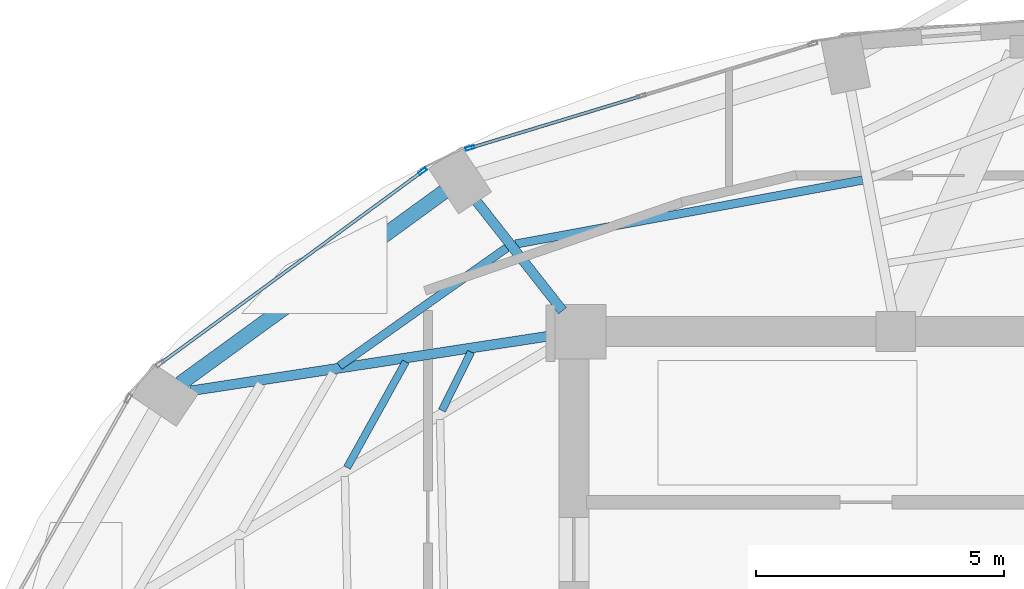
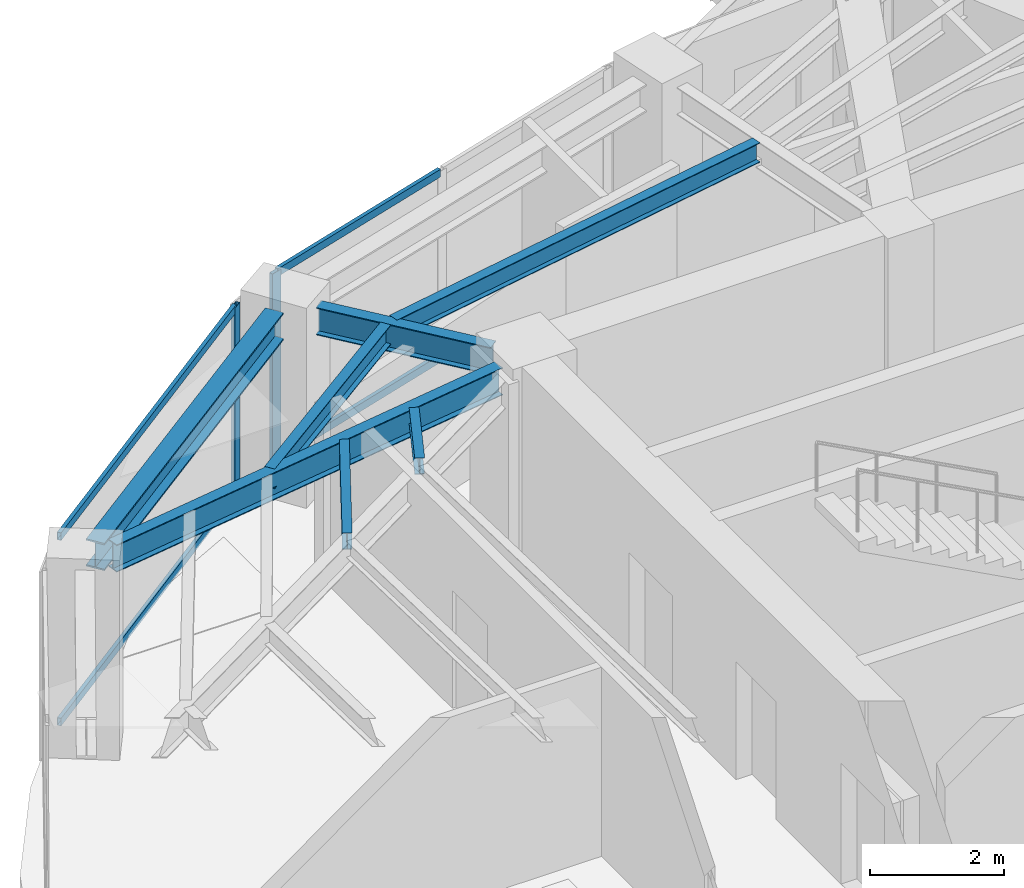
# One storey, part 8 of 21: 7 beams, 6 members, 2 elements without a shape of their own.
"""IFC4 building model written with IfcOpenShell, lengths in metres."""

from ifc_helpers import new_model, si_unit, direction, frame, origin, origin_2d, place, context, subcontext, project, spatial, hollow_rectangle, i_section, extrude, material, layer, layer_set, material_profile, profile_set, type_object, element, aggregate, save


model = new_model("IFC4")

# Units and contexts
model_context = context("Model", 3, precision=1e-05, world=origin(), true_north=direction((0.0, 1.0)))
body_context = subcontext(model_context, "Body", "Model", "MODEL_VIEW")
ifc_project = project(units=[si_unit("LENGTHUNIT", "METRE"), si_unit("AREAUNIT", "SQUARE_METRE"), si_unit("VOLUMEUNIT", "CUBIC_METRE"), si_unit("PLANEANGLEUNIT", "RADIAN"), si_unit("MASSUNIT", "GRAM", prefix="KILO")], contexts=[model_context])

# Site, building, storey
site_placement = place(None, origin())
site = spatial("IfcSite", under=ifc_project, at=site_placement, CompositionType="ELEMENT")
building_placement = place(site_placement, origin())
building = spatial("IfcBuilding", under=site, at=building_placement, Name="Lazwardi Medical Tower", CompositionType="ELEMENT")
storey_placement = place(building_placement, frame((0.0, 0.0, 220.367919921875)))
storey = spatial("IfcBuildingStorey", under=building, at=storey_placement, Name="L57", CompositionType="ELEMENT", Elevation=220.367919921875)

# Beams
ifc_material_1 = material(Name="Steel S355", Category="steel")
ifc_material_profile_1 = material_profile(ifc_material_1, i_section(OverallWidth=0.300048828125, OverallDepth=0.5, WebThickness=0.014404296875, FlangeThickness=0.028076171875, at=origin_2d()), Name="HEB 500")
ifc_profile_set_1 = profile_set([ifc_material_profile_1], Name="Steel S355")
beam_type_1 = type_object("IfcBeamType", Name="BM-RB-Z4", PredefinedType="BEAM", material=ifc_profile_set_1)
beam_1_placement = place(storey_placement, frame((23.68408203125, 38.4248046875, 3.197998046875), z_axis=(-0.808889916254, -0.587960120571, 0.0), x_axis=(0.587960120571, -0.808889916254, 0.0)))
element("IfcBeam", 1, at=beam_1_placement, inside=storey, type_object=beam_type_1, Name="Ring beam RB-05 B10 L57", PredefinedType="BEAM", context=body_context, shape_type="SweptSolid", body=[
    extrude(i_section(OverallWidth=0.300048828125, OverallDepth=0.5, WebThickness=0.014404296875, FlangeThickness=0.028076171875, at=origin_2d()), origin(), (0.0, 0.0, 1.0), 6.587158203125),
])
ifc_material_profile_2 = material_profile(ifc_material_1, i_section(OverallWidth=0.199951171875, OverallDepth=0.5, WebThickness=0.01025390625, FlangeThickness=0.01611328125, at=origin_2d()), Name="IPE 500")
ifc_profile_set_2 = profile_set([ifc_material_profile_2], Name="Steel S355")
beam_type_2 = type_object("IfcBeamType", Name="BM-RG-W3", PredefinedType="BEAM", material=ifc_profile_set_2)
beam_2_placement = place(storey_placement, frame((24.330322265625, 38.2333984375, 3.197998046875), z_axis=(0.617890508382, -0.786264153864, 0.0), x_axis=(0.786264153864, 0.617890508382, 0.0)))
element("IfcBeam", 2, at=beam_2_placement, inside=storey, type_object=beam_type_2, Name="Radial girder RG-04 R10 L57", PredefinedType="BEAM", context=body_context, shape_type="SweptSolid", body=[
    extrude(i_section(OverallWidth=0.199951171875, OverallDepth=0.5, WebThickness=0.01025390625, FlangeThickness=0.01611328125, at=origin_2d()), origin(), (0.0, 0.0, 1.0), 2.814453125),
])
beam_3_placement = place(storey_placement, frame((18.569091796875, 34.4033203125, 3.197998046875), z_axis=(0.988522137285, 0.151076087115, 0.0), x_axis=(-0.151076087115, 0.988522137285, 0.0)))
element("IfcBeam", 3, at=beam_3_placement, inside=storey, type_object=beam_type_2, Name="Radial girder RG-04 R11 L57", PredefinedType="BEAM", context=body_context, shape_type="SweptSolid", body=[
    extrude(i_section(OverallWidth=0.199951171875, OverallDepth=0.5, WebThickness=0.01025390625, FlangeThickness=0.01611328125, at=origin_2d()), origin(), (0.0, 0.0, 1.0), 7.38671875),
])
ifc_material_profile_3 = material_profile(ifc_material_1, i_section(OverallWidth=0.169921875, OverallDepth=0.360107421875, WebThickness=0.008056640625, FlangeThickness=0.0126953125, at=origin_2d()), Name="IPE 360")
ifc_profile_set_3 = profile_set([ifc_material_profile_3], Name="Steel S355")
beam_type_3 = type_object("IfcBeamType", Name="BM-SJ-02", PredefinedType="JOIST", material=ifc_profile_set_3)
beam_4_placement = place(storey_placement, frame((32.12890625, 38.65771484375, 3.26806640625), z_axis=(-0.983427965623, -0.181299300688, 0.0), x_axis=(0.181299300688, -0.983427965623, 0.0)))
element("IfcBeam", 4, at=beam_4_placement, inside=storey, type_object=beam_type_3, Name="Secondary joist SJ-02 R2 B09 L57", PredefinedType="JOIST", context=body_context, shape_type="SweptSolid", body=[
    extrude(i_section(OverallWidth=0.169921875, OverallDepth=0.360107421875, WebThickness=0.008056640625, FlangeThickness=0.0126953125, at=origin_2d()), origin(), (0.0, 0.0, 1.0), 7.127685546875),
])
beam_5_placement = place(storey_placement, frame((24.948486328125, 37.29345703125, 3.26806640625), z_axis=(-0.816711190406, -0.577046645832, 0.0), x_axis=(0.577046645832, -0.816711190406, 0.0)))
element("IfcBeam", 5, at=beam_5_placement, inside=storey, type_object=beam_type_3, Name="Secondary joist SJ-02 R2 B10 L57", PredefinedType="JOIST", context=body_context, shape_type="SweptSolid", body=[
    extrude(i_section(OverallWidth=0.169921875, OverallDepth=0.360107421875, WebThickness=0.008056640625, FlangeThickness=0.0126953125, at=origin_2d()), origin(), (0.0, 0.0, 1.0), 4.139892578125),
])
ifc_material_profile_4 = material_profile(ifc_material_1, i_section(OverallWidth=0.14990234375, OverallDepth=0.300048828125, WebThickness=0.007080078125, FlangeThickness=0.0107421875, at=origin_2d()), Name="IPE 300")
ifc_profile_set_4 = profile_set([ifc_material_profile_4], Name="Steel S355")
beam_type_4 = type_object("IfcBeamType", Name="BM-SJ-03", PredefinedType="JOIST", material=ifc_profile_set_4)
beam_6_placement = place(storey_placement, frame((22.904296875, 34.98974609375, 3.298095703125), z_axis=(-0.484751625998, -0.874651851363, 0.0), x_axis=(0.874651851363, -0.484751625998, 0.0)))
element("IfcBeam", 6, at=beam_6_placement, inside=storey, type_object=beam_type_4, Name="Secondary joist SJ-03 R3 B11 L57", PredefinedType="JOIST", context=body_context, shape_type="SweptSolid", body=[
    extrude(i_section(OverallWidth=0.14990234375, OverallDepth=0.300048828125, WebThickness=0.007080078125, FlangeThickness=0.0107421875, at=origin_2d()), origin(), (0.0, 0.0, 1.0), 2.442626953125),
])
beam_7_placement = place(storey_placement, frame((24.222412109375, 35.188720703125, 3.298095703125), z_axis=(-0.443587297772, -0.89623116954, 0.0), x_axis=(0.89623116954, -0.443587297772, 0.0)))
element("IfcBeam", 7, at=beam_7_placement, inside=storey, type_object=beam_type_4, Name="Secondary joist SJ-03 R4 B11 L57", PredefinedType="JOIST", context=body_context, shape_type="SweptSolid", body=[
    extrude(i_section(OverallWidth=0.14990234375, OverallDepth=0.300048828125, WebThickness=0.007080078125, FlangeThickness=0.0107421875, at=origin_2d()), origin(), (0.0, 0.0, 1.0), 1.32080078125),
])

# Curtain wall, member
ifc_material_2 = material(Name="Anodised bronze aluminium and solar control glazing", Category="aluminium")
ifc_layer = layer(ifc_material_2, 0.18994140625)
ifc_layer_set = layer_set([ifc_layer], Name="Anodised bronze aluminium and solar control glazing")
curtain_wall_type = type_object("IfcCurtainWallType", Name="CW-SYS-04", PredefinedType="NOTDEFINED", material=ifc_layer_set)
curtain_wall_1_placement = place(storey_placement, origin())
curtain_wall_1 = element("IfcCurtainWall", 8, at=curtain_wall_1_placement, inside=storey, type_object=curtain_wall_type, Name="L57 Unitised bronze curtain wall CW-04", PredefinedType="NOTDEFINED")
ifc_material_3 = material(Name="Anodised bronze aluminium", Category="aluminium")
ifc_material_profile_5 = material_profile(ifc_material_3, hollow_rectangle(XDim=0.06494140625, YDim=0.179931640625, WallThickness=0.00390625, at=origin_2d()), Name="ALU-MULLION 180x65x4")
ifc_profile_set_5 = profile_set([ifc_material_profile_5], Name="Anodised bronze aluminium")
member_type_1 = type_object("IfcMemberType", Name="CW-MUL-03", PredefinedType="MULLION", material=ifc_profile_set_5)
member_1_placement = place(storey_placement, frame((24.2001953125, 39.303466796875, 0.0), z_axis=(0.0, 0.0, 1.0), x_axis=(0.290581889515, -0.956850126972, 0.0)))
member_1 = element("IfcMember", 9, at=member_1_placement, type_object=member_type_1, Name="CW-04 mullion 3", PredefinedType="MULLION", context=body_context, shape_type="SweptSolid", body=[
    extrude(hollow_rectangle(XDim=0.06494140625, YDim=0.179931640625, WallThickness=0.00390625, at=origin_2d()), origin(), (0.0, 0.0, 1.0), 3.447998046875),
])

curtain_wall_2_placement = place(storey_placement, origin())
curtain_wall_2 = element("IfcCurtainWall", 10, at=curtain_wall_2_placement, inside=storey, type_object=curtain_wall_type, Name="L57 Unitised bronze curtain wall CW-04", PredefinedType="NOTDEFINED")
member_2_placement = place(storey_placement, frame((23.24462890625, 38.8349609375, 0.0), z_axis=(0.0, 0.0, 1.0), x_axis=(0.591268230971, -0.806474971121, 0.0)))
member_2 = element("IfcMember", 11, at=member_2_placement, type_object=member_type_1, Name="CW-04 mullion 1", PredefinedType="MULLION", context=body_context, shape_type="SweptSolid", body=[
    extrude(hollow_rectangle(XDim=0.06494140625, YDim=0.179931640625, WallThickness=0.00390625, at=origin_2d()), origin(), (0.0, 0.0, 1.0), 3.447998046875),
])

# Member
ifc_material_profile_6 = material_profile(ifc_material_3, hollow_rectangle(XDim=0.06494140625, YDim=0.139892578125, WallThickness=0.00341796875, at=origin_2d()), Name="ALU-TRANSOM 140x65x3.5")
ifc_profile_set_6 = profile_set([ifc_material_profile_6], Name="Anodised bronze aluminium")
member_type_2 = type_object("IfcMemberType", Name="CW-TRN-03", PredefinedType="USERDEFINED", material=ifc_profile_set_6)
member_3_placement = place(storey_placement, frame((27.632568359375, 40.345947265625, 0.032470703125), z_axis=(-0.956843409009, -0.290604010015, 0.0), x_axis=(0.290604010015, -0.956843409009, 0.0)))
member_3 = element("IfcMember", 12, at=member_3_placement, type_object=member_type_2, Name="CW-04 transom 2.1", ObjectType="TRANSOM", PredefinedType="USERDEFINED", context=body_context, shape_type="SweptSolid", body=[
    extrude(hollow_rectangle(XDim=0.06494140625, YDim=0.139892578125, WallThickness=0.00341796875, at=origin_2d()), origin(), (0.0, 0.0, 1.0), 3.554443359375),
])

member_4_placement = place(storey_placement, frame((27.632568359375, 40.345947265625, 3.41552734375), z_axis=(-0.956843409009, -0.290604010015, 0.0), x_axis=(0.290604010015, -0.956843409009, 0.0)))
member_4 = element("IfcMember", 13, at=member_4_placement, type_object=member_type_2, Name="CW-04 transom 2.2", ObjectType="TRANSOM", PredefinedType="USERDEFINED", context=body_context, shape_type="SweptSolid", body=[
    extrude(hollow_rectangle(XDim=0.06494140625, YDim=0.139892578125, WallThickness=0.00341796875, at=origin_2d()), origin(), (0.0, 0.0, 1.0), 3.554443359375),
])

aggregate(curtain_wall_1, [member_1, member_3, member_4])

member_5_placement = place(storey_placement, frame((23.218505859375, 38.815673828125, 0.032470703125), z_axis=(-0.80648973359, -0.591248094808, 0.0), x_axis=(0.591248094808, -0.80648973359, 0.0)))
member_5 = element("IfcMember", 14, at=member_5_placement, type_object=member_type_2, Name="CW-04 transom 1.1", ObjectType="TRANSOM", PredefinedType="USERDEFINED", context=body_context, shape_type="SweptSolid", body=[
    extrude(hollow_rectangle(XDim=0.06494140625, YDim=0.139892578125, WallThickness=0.00341796875, at=origin_2d()), origin(), (0.0, 0.0, 1.0), 6.502685546875),
])

member_6_placement = place(storey_placement, frame((23.218505859375, 38.815673828125, 3.41552734375), z_axis=(-0.80648973359, -0.591248094808, 0.0), x_axis=(0.591248094808, -0.80648973359, 0.0)))
member_6 = element("IfcMember", 15, at=member_6_placement, type_object=member_type_2, Name="CW-04 transom 1.2", ObjectType="TRANSOM", PredefinedType="USERDEFINED", context=body_context, shape_type="SweptSolid", body=[
    extrude(hollow_rectangle(XDim=0.06494140625, YDim=0.139892578125, WallThickness=0.00341796875, at=origin_2d()), origin(), (0.0, 0.0, 1.0), 6.502685546875),
])

aggregate(curtain_wall_2, [member_2, member_5, member_6])

save(model, "model.ifc")
